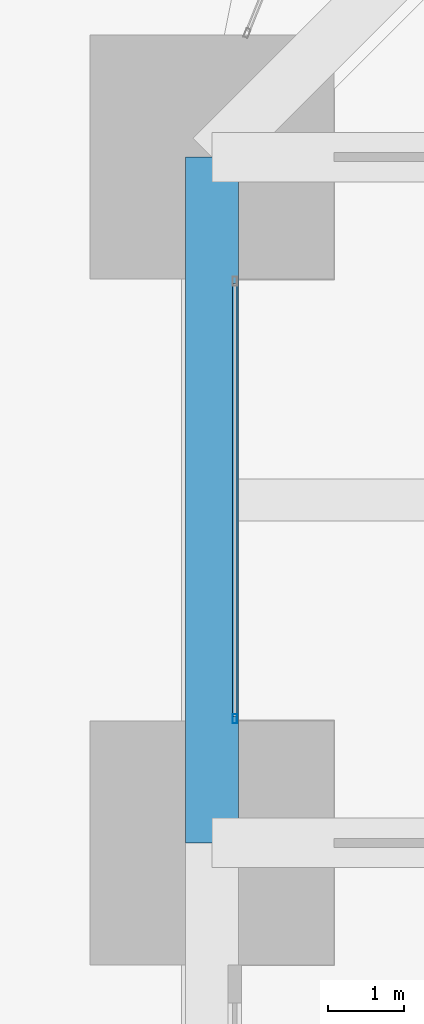
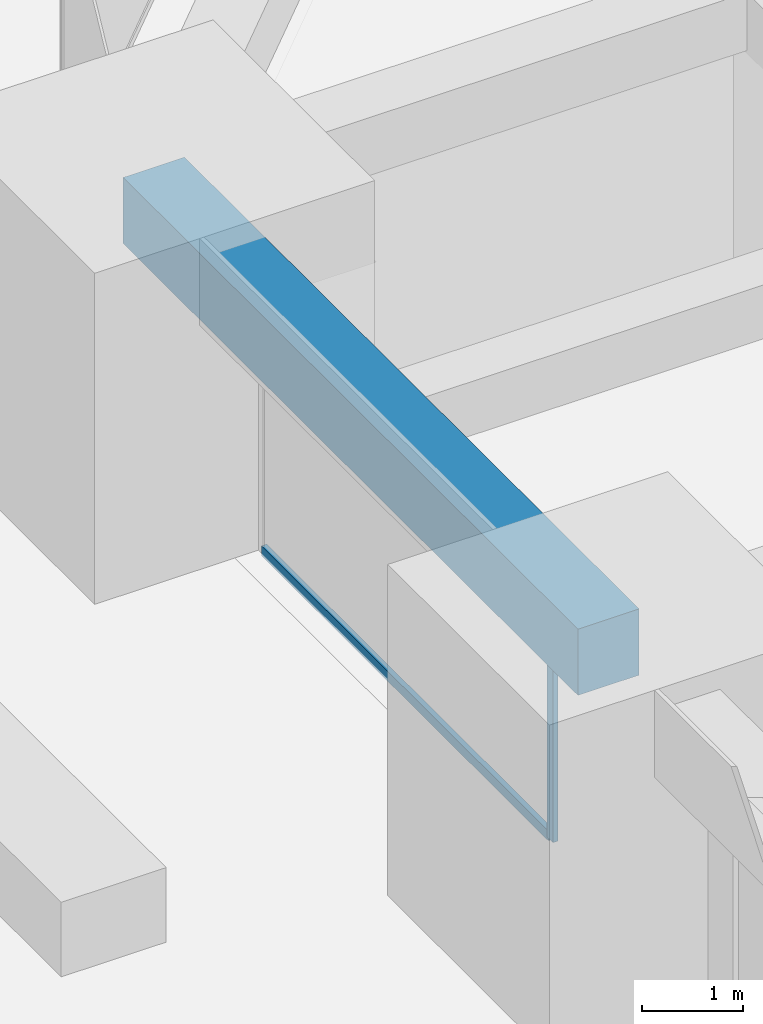
# One storey, part 13 of 40: 2 members, 1 beam, 1 element without a shape of its own.
"""IFC4 building model written with IfcOpenShell, lengths in metres."""

import ifcopenshell
import ifcopenshell.guid

model = None  # the IFC model being written
_history = None  # IfcOwnerHistory: only IFC2X3 demands one
_inside = {}  # id of a spatial element -> (the spatial element, [elements in it])
_under = {}  # id of a project, library or spatial element -> (it, [spatial elements below it])
_declared = {}  # id of a project -> (the project, [libraries it declares])
_typed = {}  # id of a type object -> (the type object, [elements of that type])
_made_of = {}  # id of a material, layer set ... -> (it, [elements and type objects made of it])


def new_model(schema):
    """Start an empty IFC model of exactly this schema.

    Asked for "IFC4X3", IfcOpenShell would pick the latest addendum, in which some entities
    have other attributes; the version numbers below select the first issue.
    IFC2X3 requires an IfcOwnerHistory on every rooted entity: one is made here for all.
    """
    global model, _history
    if schema == "IFC4X3":
        model = ifcopenshell.file(schema_version=(4, 3, 0, 0))
    else:
        model = ifcopenshell.file(schema=schema)
    _inside.clear()
    _under.clear()
    _declared.clear()
    _typed.clear()
    _made_of.clear()
    _history = None
    if model.schema == "IFC2X3":
        org = make("IfcOrganization", Name="unknown")
        user = make(
            "IfcPersonAndOrganization",
            ThePerson=make("IfcPerson", FamilyName="unknown"),
            TheOrganization=org,
        )
        app = make(
            "IfcApplication",
            ApplicationDeveloper=org,
            Version="unknown",
            ApplicationFullName="unknown",
            ApplicationIdentifier="unknown",
        )
        _history = make(
            "IfcOwnerHistory",
            OwningUser=user,
            OwningApplication=app,
            ChangeAction="ADDED",
            CreationDate=0,
        )
    return model


def make(cls, **values):
    """One entity of the class cls with the attributes given. An attribute that is None is left unset."""
    return model.create_entity(
        cls, **{name: value for name, value in values.items() if value is not None}
    )


def rooted(cls, **values):
    """An entity with a GlobalId (a new one), such as an element, a storey or a relation."""
    return make(cls, GlobalId=ifcopenshell.guid.new(), OwnerHistory=_history, **values)


def si_unit(unit_type, name, prefix=None):
    """IfcSIUnit, for example si_unit("LENGTHUNIT", "METRE", prefix="MILLI")."""
    return make("IfcSIUnit", UnitType=unit_type, Prefix=prefix, Name=name)


def assignment(units):
    """IfcUnitAssignment: the units of a project."""
    return None if units is None else make("IfcUnitAssignment", Units=units)


def point(xyz):
    """IfcCartesianPoint."""
    return None if xyz is None else make("IfcCartesianPoint", Coordinates=xyz)


def direction(xyz):
    """IfcDirection."""
    return None if xyz is None else make("IfcDirection", DirectionRatios=xyz)


def frame(location, z_axis=None, x_axis=None):
    """IfcAxis2Placement3D, a coordinate frame: its origin and axes. An axis left out is left unset."""
    return make(
        "IfcAxis2Placement3D",
        Location=point(location),
        Axis=direction(z_axis),
        RefDirection=direction(x_axis),
    )


def frame_2d(location, x_axis=None):
    """IfcAxis2Placement2D, a coordinate frame in the plane: its origin and x axis."""
    return make(
        "IfcAxis2Placement2D", Location=point(location), RefDirection=direction(x_axis)
    )


def origin():
    """The frame at (0, 0, 0) with its axes left unset."""
    return frame((0.0, 0.0, 0.0))


def origin_2d():
    """The frame at (0, 0) in the plane with its x axis left unset."""
    return frame_2d((0.0, 0.0))


def place(relative_to, where):
    """IfcLocalPlacement: puts the frame where relative to a parent placement (None: the world)."""
    return make(
        "IfcLocalPlacement", PlacementRelTo=relative_to, RelativePlacement=where
    )


def context(
    kind, dimensions, precision=None, world=None, true_north=None, identifier=None
):
    """IfcGeometricRepresentationContext, for example the 3D "Model" context."""
    return make(
        "IfcGeometricRepresentationContext",
        ContextIdentifier=identifier,
        ContextType=kind,
        CoordinateSpaceDimension=dimensions,
        Precision=precision,
        WorldCoordinateSystem=world,
        TrueNorth=true_north,
    )


def subcontext(parent, identifier, kind, view, scale=None):
    """IfcGeometricRepresentationSubContext, for example "Body" below "Model"."""
    return make(
        "IfcGeometricRepresentationSubContext",
        ContextIdentifier=identifier,
        ContextType=kind,
        ParentContext=parent,
        TargetScale=scale,
        TargetView=view,
    )


def project(units=None, contexts=None):
    """IfcProject with its units and contexts."""
    return rooted(
        "IfcProject",
        Name="project",
        RepresentationContexts=contexts,
        UnitsInContext=assignment(units),
    )


def spatial(cls, under=None, at=None, **own):
    """A site, building, storey or space (cls), placed at a placement, below another one or the project."""
    s = rooted(cls, ObjectPlacement=at, **own)
    if under is not None:
        _under.setdefault(under.id(), (under, []))[1].append(s)
    return s


def profile(cls, at=None, kind="AREA", **sizes):
    """A parametric profile (cls). Its sizes go by their IFC names, for example OverallWidth=200.0."""
    return make(cls, ProfileType=kind, Position=at, **sizes)


def rectangle(**sizes):
    """IfcRectangleProfileDef."""
    return profile("IfcRectangleProfileDef", **sizes)


def hollow_rectangle(**sizes):
    """IfcRectangleHollowProfileDef."""
    return profile("IfcRectangleHollowProfileDef", **sizes)


def extrude(swept, where, along, depth):
    """IfcExtrudedAreaSolid: the profile swept, set in the frame where, extruded along a direction by depth."""
    return make(
        "IfcExtrudedAreaSolid",
        SweptArea=swept,
        Position=where,
        ExtrudedDirection=direction(along),
        Depth=depth,
    )


def shape(context_of_items, identifier, shape_type, items):
    """IfcShapeRepresentation: the items that make up one representation, for example the "Body"."""
    return make(
        "IfcShapeRepresentation",
        ContextOfItems=context_of_items,
        RepresentationIdentifier=identifier,
        RepresentationType=shape_type,
        Items=items,
    )


def material(Name=None, Category=None):
    """IfcMaterial."""
    return make("IfcMaterial", Name=Name, Category=Category)


def material_profile(
    of_material, cross_section, Name=None, Category=None, Priority=None
):
    """IfcMaterialProfile: a cross section and its material."""
    return make(
        "IfcMaterialProfile",
        Name=Name,
        Material=of_material,
        Profile=cross_section,
        Priority=Priority,
        Category=Category,
    )


def profile_set(profiles, Name=None, composite=None):
    """IfcMaterialProfileSet."""
    return make(
        "IfcMaterialProfileSet",
        Name=Name,
        MaterialProfiles=profiles,
        CompositeProfile=composite,
    )


def made_of(thing, what):
    """Note that an element or type object is made of a material, layer set ...; save() writes the relation."""
    if what is not None:
        _made_of.setdefault(what.id(), (what, []))[1].append(thing)
    return thing


def type_object(cls, material=None, **own):
    """A type object (cls), such as IfcWallType, which elements share."""
    return made_of(rooted(cls, **own), material)


def element(
    cls,
    number,
    at=None,
    inside=None,
    cuts=None,
    type_object=None,
    material=None,
    context=None,
    identifier="Body",
    shape_type=None,
    held_by="IfcProductDefinitionShape",
    body=None,
    shapes=None,
    **own,
):
    """One element of the class cls, such as IfcWall. Its Tag is "e" and its number.

    at: its placement. inside: the storey or other place that contains it. cuts: it is an
    opening in that element (IfcRelVoidsElement). A single representation is given by context,
    identifier, shape_type and body (its items); several are given by shapes. held_by: the class
    of the entity that holds the representations. save() writes the other relations.
    """
    e = rooted(cls, Tag="e%d" % number, ObjectPlacement=at, **own)
    if body is not None:
        shapes = [shape(context, identifier, shape_type, body)]
    if shapes is not None:
        e.Representation = make(held_by, Representations=shapes)
    if inside is not None:
        _inside.setdefault(inside.id(), (inside, []))[1].append(e)
    if cuts is not None:
        rooted(
            "IfcRelVoidsElement", RelatingBuildingElement=cuts, RelatedOpeningElement=e
        )
    if type_object is not None:
        _typed.setdefault(type_object.id(), (type_object, []))[1].append(e)
    return made_of(e, material)


def aggregate(whole, parts):
    """IfcRelAggregates: a whole, such as a stair, and the parts it consists of."""
    return rooted("IfcRelAggregates", RelatingObject=whole, RelatedObjects=parts)


def save(model, path):
    """Write the relations noted so far, then the file.

    IfcRelAggregates (storeys below a building ...), IfcRelContainedInSpatialStructure (elements
    in a storey), IfcRelDefinesByType, IfcRelAssociatesMaterial and IfcRelDeclares: one each for
    every whole, place, type object, material and project.
    """
    for whole, parts in _under.values():
        aggregate(whole, parts)
    for where, things in _inside.values():
        rooted(
            "IfcRelContainedInSpatialStructure",
            RelatedElements=things,
            RelatingStructure=where,
        )
    for kind, things in _typed.values():
        rooted("IfcRelDefinesByType", RelatedObjects=things, RelatingType=kind)
    for what, things in _made_of.values():
        rooted("IfcRelAssociatesMaterial", RelatedObjects=things, RelatingMaterial=what)
    for by, libraries in _declared.values():
        rooted("IfcRelDeclares", RelatingContext=by, RelatedDefinitions=libraries)
    model.write(path)


model = new_model("IFC4")

# Units and contexts
model_context = context("Model", 3, precision=1e-05, world=origin(), true_north=direction((0.0, 1.0)))
body_context = subcontext(model_context, "Body", "Model", "MODEL_VIEW")
ifc_project = project(units=[si_unit("LENGTHUNIT", "METRE"), si_unit("AREAUNIT", "SQUARE_METRE"), si_unit("VOLUMEUNIT", "CUBIC_METRE"), si_unit("PLANEANGLEUNIT", "RADIAN"), si_unit("MASSUNIT", "GRAM", prefix="KILO")], contexts=[model_context])

# Site, building, storey
site_placement = place(None, origin())
site = spatial("IfcSite", under=ifc_project, at=site_placement, CompositionType="ELEMENT")
building_placement = place(site_placement, origin())
building = spatial("IfcBuilding", under=site, at=building_placement, Name="Zorevar Civic Tower", CompositionType="ELEMENT")
storey_placement = place(building_placement, frame((0.0, 0.0, 239.39990234375)))
storey = spatial("IfcBuildingStorey", under=building, at=storey_placement, Name="L58", CompositionType="ELEMENT", Elevation=239.39990234375)

# Curtain wall, members
ifc_material_1 = material(Name="Dark grey solar-control glass in black aluminium frame", Category="aluminium")
curtain_wall_type = type_object("IfcCurtainWallType", Name="Curtain wall CW5 top zone", PredefinedType="NOTDEFINED", material=ifc_material_1)
curtain_wall_placement = place(storey_placement, origin())
curtain_wall = element("IfcCurtainWall", 1, at=curtain_wall_placement, inside=storey, type_object=curtain_wall_type, Name="CW5 L58", PredefinedType="NOTDEFINED")
ifc_material_2 = material(Name="Aluminium, black anodised", Category="aluminium")
ifc_material_profile_1 = material_profile(ifc_material_2, hollow_rectangle(XDim=0.06005859375, YDim=0.1201171875, WallThickness=0.0029296875, at=origin_2d()), Name="AL 120x60x3")
ifc_profile_set_1 = profile_set([ifc_material_profile_1], Name="Aluminium, black anodised")
member_type_1 = type_object("IfcMemberType", Name="CW5 mullion AL 120x60x3", PredefinedType="MULLION", material=ifc_profile_set_1)
member_1_placement = place(storey_placement, frame((9.300048828125, 28.6298828125, 0.0), z_axis=(0.0, 0.0, 1.0), x_axis=(-1.0, 0.0, 0.0)))
member_1 = element("IfcMember", 2, at=member_1_placement, type_object=member_type_1, Name="CW5 mullion 1", PredefinedType="MULLION", context=body_context, shape_type="SweptSolid", body=[
    extrude(hollow_rectangle(XDim=0.06005859375, YDim=0.1201171875, WallThickness=0.0029296875, at=origin_2d()), origin(), (0.0, 0.0, 1.0), 2.9501953125),
])
ifc_material_3 = material(Name="Aluminium, black anodised", Category="aluminium")
ifc_material_profile_2 = material_profile(ifc_material_3, hollow_rectangle(XDim=0.06005859375, YDim=0.1201171875, WallThickness=0.0029296875, at=origin_2d()), Name="AL 120x60x3")
ifc_profile_set_2 = profile_set([ifc_material_profile_2], Name="Aluminium, black anodised")
member_type_2 = type_object("IfcMemberType", Name="CW5 transom AL 120x60x3", PredefinedType="USERDEFINED", material=ifc_profile_set_2)
member_2_placement = place(storey_placement, frame((9.300048828125, 28.659912109375, 0.030029296875), z_axis=(0.0, 1.0, 0.0), x_axis=(-1.0, 0.0, 0.0)))
member_2 = element("IfcMember", 3, at=member_2_placement, type_object=member_type_2, Name="CW5 sill transom", ObjectType="TRANSOM", PredefinedType="USERDEFINED", context=body_context, shape_type="SweptSolid", body=[
    extrude(hollow_rectangle(XDim=0.06005859375, YDim=0.1201171875, WallThickness=0.0029296875, at=origin_2d()), origin(), (0.0, 0.0, 1.0), 5.68017578125),
])
aggregate(curtain_wall, [member_1, member_2])

# Beam
ifc_material_4 = material(Name="Concrete C50/60", Category="concrete")
ifc_material_profile_3 = material_profile(ifc_material_4, rectangle(XDim=0.699951171875, YDim=0.800048828125, at=origin_2d()), Name="RC 700x800")
ifc_profile_set_3 = profile_set([ifc_material_profile_3], Name="Concrete C50/60")
beam_type = type_object("IfcBeamType", Name="Edge beam RC 700x800", PredefinedType="SPANDREL", material=ifc_profile_set_3)
beam_placement = place(storey_placement, frame((9.0, 27.0, 3.35009765625), z_axis=(0.0, 1.0, 0.0), x_axis=(-1.0, 0.0, 0.0)))
element("IfcBeam", 4, at=beam_placement, inside=storey, type_object=beam_type, Name="Edge beam L59", PredefinedType="SPANDREL", context=body_context, shape_type="SweptSolid", body=[
    extrude(rectangle(XDim=0.699951171875, YDim=0.800048828125, at=origin_2d()), origin(), (0.0, 0.0, 1.0), 9.0),
])

save(model, "model.ifc")
